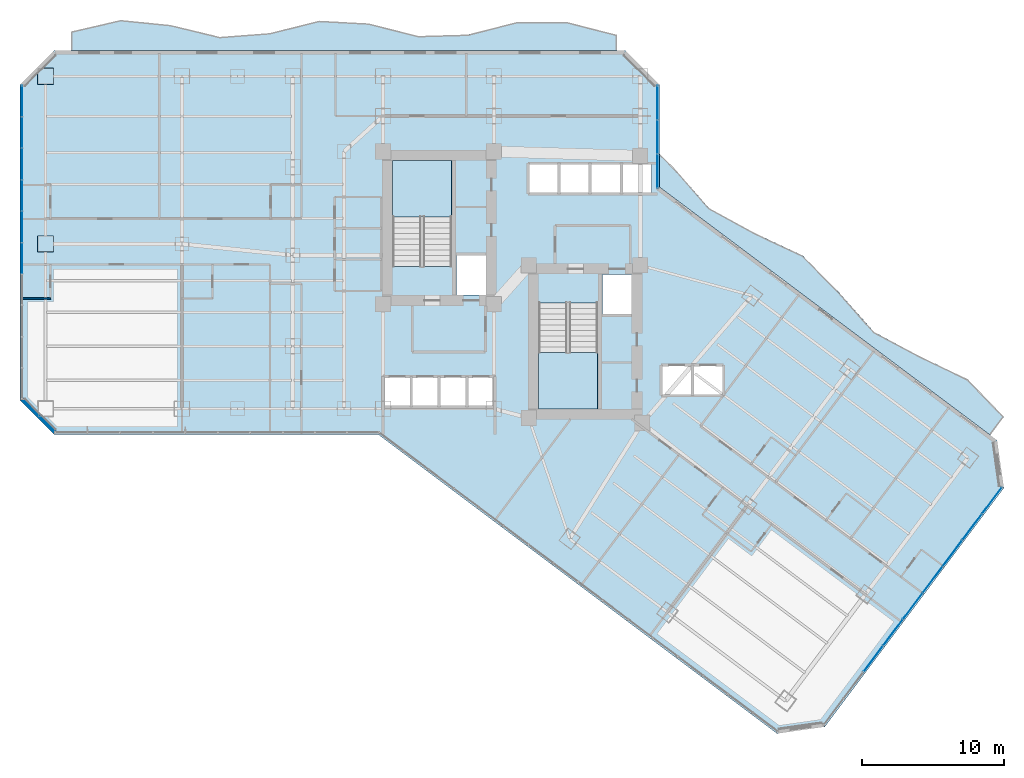
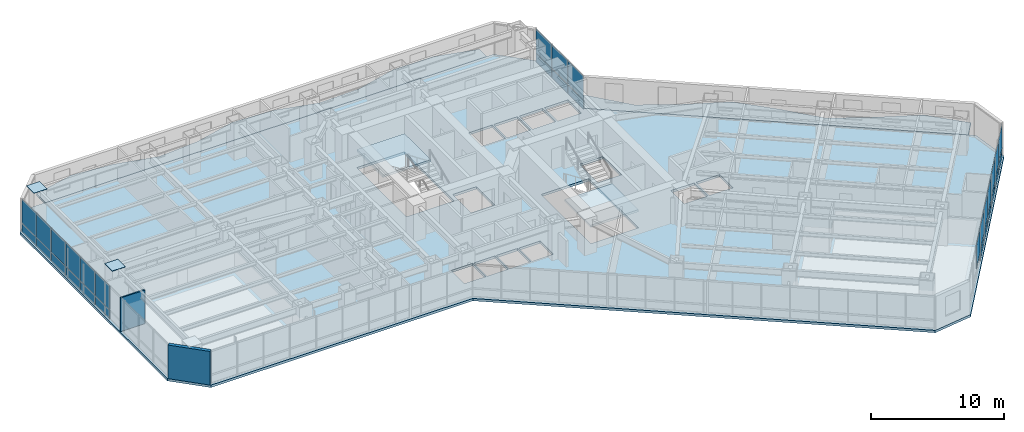
# One storey, part 27 of 39: 33 plates, 5 slabs, 2 walls, 5 elements without a shape of their own.
"""IFC4 building model written with IfcOpenShell, lengths in metres."""

from ifc_helpers import new_model, si_unit, direction, frame, frame_2d, origin, origin_2d, place, context, subcontext, project, spatial, polyline, rectangle, outline, extrude, material, layer, layer_set, type_object, element, aggregate, save


model = new_model("IFC4")

# Units and contexts
model_context = context("Model", 3, precision=1e-05, world=origin(), true_north=direction((0.0, 1.0)))
body_context = subcontext(model_context, "Body", "Model", "MODEL_VIEW")
ifc_project = project(units=[si_unit("LENGTHUNIT", "METRE"), si_unit("AREAUNIT", "SQUARE_METRE"), si_unit("VOLUMEUNIT", "CUBIC_METRE"), si_unit("PLANEANGLEUNIT", "RADIAN"), si_unit("MASSUNIT", "GRAM", prefix="KILO")], contexts=[model_context])

# Site, building, storey
site_placement = place(None, origin())
site = spatial("IfcSite", under=ifc_project, at=site_placement, CompositionType="ELEMENT")
building_placement = place(site_placement, origin())
building = spatial("IfcBuilding", under=site, at=building_placement, Name="Hatsunagi Terrace Concourse", CompositionType="ELEMENT")
storey_placement = place(building_placement, frame((0.0, 0.0, 66.75)))
storey = spatial("IfcBuildingStorey", under=building, at=storey_placement, Name="L17", CompositionType="ELEMENT", Elevation=66.75)

# Plates
ifc_material_1 = material(Name="Steel SN490C", Category="steel")
ifc_layer_1 = layer(ifc_material_1, 0.031982421875)
ifc_layer_set_1 = layer_set([ifc_layer_1], Name="ColumnEndCapPlate_32")
plate_type_1 = type_object("IfcPlateType", Name="ColumnEndCapPlate_32", PredefinedType="USERDEFINED", material=ifc_layer_set_1)
for number, where, z_axis, x_axis, name in (
    (1, (1.800048828125, 48.60009765625, 3.09814453125), (0.0, 0.0, 1.0), (1.0, 0.0, 0.0), "Hollow Column Top Cap Plate GP-03 L17-WN1"),
    (2, (1.800048828125, 36.800048828125, 3.09814453125), (0.0, 0.0, 1.0), (1.0, 0.0, 0.0), "Hollow Column Top Cap Plate GP-03 L17-WM0"),
):
    element("IfcPlate", number, at=place(storey_placement, frame(where, z_axis=z_axis, x_axis=x_axis)), inside=storey, type_object=plate_type_1, Name=name, ObjectType="GUSSET_PLATE", PredefinedType="USERDEFINED", context=body_context, shape_type="SweptSolid", body=[
        extrude(rectangle(XDim=1.139892578125, YDim=1.139892578125, at=origin_2d()), origin(), (0.0, 0.0, 1.0), 0.031982421875),
    ])

# Curtain wall, plates
ifc_material_2 = material(Name="Anodised Aluminium Alloy 6063-T5", Category="aluminium")
ifc_layer_2 = layer(ifc_material_2, 0.199951171875)
ifc_layer_set_2 = layer_set([ifc_layer_2], Name="HotelFacade_CW02")
curtain_wall_type = type_object("IfcCurtainWallType", Name="HotelFacade_CW02", PredefinedType="NOTDEFINED", material=ifc_layer_set_2)
curtain_wall_1_placement = place(storey_placement, origin())
curtain_wall_1 = element("IfcCurtainWall", 3, at=curtain_wall_1_placement, inside=storey, type_object=curtain_wall_type, Name="Unitised Curtain Wall CW-02 CW-L17-03", PredefinedType="NOTDEFINED")
ifc_material_3 = material(Name="Warm Terracotta Ceramic Spandrel Panel", Category="masonry")
ifc_layer_3 = layer(ifc_material_3, 0.031982421875)
ifc_layer_set_3 = layer_set([ifc_layer_3], Name="CurtainWallSpandrelPanel_32")
plate_type_2 = type_object("IfcPlateType", Name="CurtainWallSpandrelPanel_32", PredefinedType="SHEET", material=ifc_layer_set_3)
plate_1_placement = place(storey_placement, frame((68.39697265625, 18.72998046875, 0.030029296875), z_axis=(0.0, 0.0, 1.0), x_axis=(-0.599969314634, -0.800023013105, 0.0)))
plate_1 = element("IfcPlate", 4, at=plate_1_placement, type_object=plate_type_2, Name="Terracotta Spandrel Panel SPN-01", PredefinedType="SHEET", context=body_context, shape_type="SweptSolid", body=[
    extrude(rectangle(XDim=2.264892578125, YDim=0.031982421875, at=origin_2d()), origin(), (0.0, 0.0, 1.0), 0.7900390625),
])
plate_2_placement = place(storey_placement, frame((67.0048828125, 16.873046875, 0.030029296875), z_axis=(0.0, 0.0, 1.0), x_axis=(-0.599969314634, -0.800023013105, 0.0)))
plate_2 = element("IfcPlate", 5, at=plate_2_placement, type_object=plate_type_2, Name="Terracotta Spandrel Panel SPN-01", PredefinedType="SHEET", context=body_context, shape_type="SweptSolid", body=[
    extrude(rectangle(XDim=2.264892578125, YDim=0.031982421875, at=origin_2d()), origin(), (0.0, 0.0, 1.0), 0.7900390625),
])
plate_3_placement = place(storey_placement, frame((65.612060546875, 15.01708984375, 0.030029296875), z_axis=(0.0, 0.0, 1.0), x_axis=(-0.599969314634, -0.800023013105, 0.0)))
plate_3 = element("IfcPlate", 6, at=plate_3_placement, type_object=plate_type_2, Name="Terracotta Spandrel Panel SPN-01", PredefinedType="SHEET", context=body_context, shape_type="SweptSolid", body=[
    extrude(rectangle(XDim=2.264892578125, YDim=0.031982421875, at=origin_2d()), origin(), (0.0, 0.0, 1.0), 0.7900390625),
])
plate_4_placement = place(storey_placement, frame((64.219970703125, 13.159912109375, 0.030029296875), z_axis=(0.0, 0.0, 1.0), x_axis=(-0.599969314634, -0.800023013105, 0.0)))
plate_4 = element("IfcPlate", 7, at=plate_4_placement, type_object=plate_type_2, Name="Terracotta Spandrel Panel SPN-01", PredefinedType="SHEET", context=body_context, shape_type="SweptSolid", body=[
    extrude(rectangle(XDim=2.264892578125, YDim=0.031982421875, at=origin_2d()), origin(), (0.0, 0.0, 1.0), 0.7900390625),
])
plate_5_placement = place(storey_placement, frame((62.827880859375, 11.303955078125, 0.030029296875), z_axis=(0.0, 0.0, 1.0), x_axis=(-0.599969314634, -0.800023013105, 0.0)))
plate_5 = element("IfcPlate", 8, at=plate_5_placement, type_object=plate_type_2, Name="Terracotta Spandrel Panel SPN-01", PredefinedType="SHEET", context=body_context, shape_type="SweptSolid", body=[
    extrude(rectangle(XDim=2.264892578125, YDim=0.031982421875, at=origin_2d()), origin(), (0.0, 0.0, 1.0), 0.7900390625),
])
plate_6_placement = place(storey_placement, frame((61.43603515625, 9.447998046875, 0.030029296875), z_axis=(0.0, 0.0, 1.0), x_axis=(-0.599969314634, -0.800023013105, 0.0)))
plate_6 = element("IfcPlate", 9, at=plate_6_placement, type_object=plate_type_2, Name="Terracotta Spandrel Panel SPN-01", PredefinedType="SHEET", context=body_context, shape_type="SweptSolid", body=[
    extrude(rectangle(XDim=2.264892578125, YDim=0.031982421875, at=origin_2d()), origin(), (0.0, 0.0, 1.0), 0.7900390625),
])

curtain_wall_2_placement = place(storey_placement, origin())
curtain_wall_2 = element("IfcCurtainWall", 10, at=curtain_wall_2_placement, inside=storey, type_object=curtain_wall_type, Name="Unitised Curtain Wall CW-02 CW-L17-09", PredefinedType="NOTDEFINED")
plate_7_placement = place(storey_placement, frame((0.139892578125, 35.7958984375, 0.030029296875), z_axis=(0.0, 0.0, 1.0), x_axis=(0.0, 1.0, 0.0)))
plate_7 = element("IfcPlate", 11, at=plate_7_placement, type_object=plate_type_2, Name="Terracotta Spandrel Panel SPN-01", PredefinedType="SHEET", context=body_context, shape_type="SweptSolid", body=[
    extrude(rectangle(XDim=2.153076171875, YDim=0.031982421875, at=origin_2d()), origin(), (0.0, 0.0, 1.0), 0.7900390625),
])
plate_8_placement = place(storey_placement, frame((0.139892578125, 38.00390625, 0.030029296875), z_axis=(0.0, 0.0, 1.0), x_axis=(0.0, 1.0, 0.0)))
plate_8 = element("IfcPlate", 12, at=plate_8_placement, type_object=plate_type_2, Name="Terracotta Spandrel Panel SPN-01", PredefinedType="SHEET", context=body_context, shape_type="SweptSolid", body=[
    extrude(rectangle(XDim=2.153076171875, YDim=0.031982421875, at=origin_2d()), origin(), (0.0, 0.0, 1.0), 0.7900390625),
])
plate_9_placement = place(storey_placement, frame((0.139892578125, 40.212890625, 0.030029296875), z_axis=(0.0, 0.0, 1.0), x_axis=(0.0, 1.0, 0.0)))
plate_9 = element("IfcPlate", 13, at=plate_9_placement, type_object=plate_type_2, Name="Terracotta Spandrel Panel SPN-01", PredefinedType="SHEET", context=body_context, shape_type="SweptSolid", body=[
    extrude(rectangle(XDim=2.153076171875, YDim=0.031982421875, at=origin_2d()), origin(), (0.0, 0.0, 1.0), 0.7900390625),
])
plate_10_placement = place(storey_placement, frame((0.139892578125, 42.4208984375, 0.030029296875), z_axis=(0.0, 0.0, 1.0), x_axis=(0.0, 1.0, 0.0)))
plate_10 = element("IfcPlate", 14, at=plate_10_placement, type_object=plate_type_2, Name="Terracotta Spandrel Panel SPN-01", PredefinedType="SHEET", context=body_context, shape_type="SweptSolid", body=[
    extrude(rectangle(XDim=2.153076171875, YDim=0.031982421875, at=origin_2d()), origin(), (0.0, 0.0, 1.0), 0.7900390625),
])
plate_11_placement = place(storey_placement, frame((0.139892578125, 44.62890625, 0.030029296875), z_axis=(0.0, 0.0, 1.0), x_axis=(0.0, 1.0, 0.0)))
plate_11 = element("IfcPlate", 15, at=plate_11_placement, type_object=plate_type_2, Name="Terracotta Spandrel Panel SPN-01", PredefinedType="SHEET", context=body_context, shape_type="SweptSolid", body=[
    extrude(rectangle(XDim=2.153076171875, YDim=0.031982421875, at=origin_2d()), origin(), (0.0, 0.0, 1.0), 0.7900390625),
])
plate_12_placement = place(storey_placement, frame((0.139892578125, 46.837890625, 0.030029296875), z_axis=(0.0, 0.0, 1.0), x_axis=(0.0, 1.0, 0.0)))
plate_12 = element("IfcPlate", 16, at=plate_12_placement, type_object=plate_type_2, Name="Terracotta Spandrel Panel SPN-01", PredefinedType="SHEET", context=body_context, shape_type="SweptSolid", body=[
    extrude(rectangle(XDim=2.153076171875, YDim=0.031982421875, at=origin_2d()), origin(), (0.0, 0.0, 1.0), 0.7900390625),
])

curtain_wall_3_placement = place(storey_placement, origin())
curtain_wall_3 = element("IfcCurtainWall", 17, at=curtain_wall_3_placement, inside=storey, type_object=curtain_wall_type, Name="Unitised Curtain Wall CW-02 CW-L17-13", PredefinedType="NOTDEFINED")
plate_13_placement = place(storey_placement, frame((44.860107421875, 46.739990234375, 0.030029296875), z_axis=(0.0, 0.0, 1.0), x_axis=(0.0, -1.0, 0.0)))
plate_13 = element("IfcPlate", 18, at=plate_13_placement, type_object=plate_type_2, Name="Terracotta Spandrel Panel SPN-01", PredefinedType="SHEET", context=body_context, shape_type="SweptSolid", body=[
    extrude(rectangle(XDim=2.34912109375, YDim=0.031982421875, at=origin_2d()), origin(), (0.0, 0.0, 1.0), 0.7900390625),
])
plate_14_placement = place(storey_placement, frame((44.860107421875, 44.3359375, 0.030029296875), z_axis=(0.0, 0.0, 1.0), x_axis=(0.0, -1.0, 0.0)))
plate_14 = element("IfcPlate", 19, at=plate_14_placement, type_object=plate_type_2, Name="Terracotta Spandrel Panel SPN-01", PredefinedType="SHEET", context=body_context, shape_type="SweptSolid", body=[
    extrude(rectangle(XDim=2.34912109375, YDim=0.031982421875, at=origin_2d()), origin(), (0.0, 0.0, 1.0), 0.7900390625),
])
plate_15_placement = place(storey_placement, frame((44.860107421875, 41.931884765625, 0.030029296875), z_axis=(0.0, 0.0, 1.0), x_axis=(0.0, -1.0, 0.0)))
plate_15 = element("IfcPlate", 20, at=plate_15_placement, type_object=plate_type_2, Name="Terracotta Spandrel Panel SPN-01", PredefinedType="SHEET", context=body_context, shape_type="SweptSolid", body=[
    extrude(rectangle(XDim=2.34912109375, YDim=0.031982421875, at=origin_2d()), origin(), (0.0, 0.0, 1.0), 0.7900390625),
])

# Plate
ifc_material_4 = material(Name="Low-E Double Insulating Glass 28mm", Category="glass")
ifc_layer_4 = layer(ifc_material_4, 0.028076171875)
ifc_layer_set_4 = layer_set([ifc_layer_4], Name="CurtainWallVisionGlass_28")
plate_type_3 = type_object("IfcPlateType", Name="CurtainWallVisionGlass_28", PredefinedType="CURTAIN_PANEL", material=ifc_layer_set_4)
plate_16_placement = place(storey_placement, frame((68.39697265625, 18.72998046875, 0.8798828125), z_axis=(0.0, 0.0, 1.0), x_axis=(-0.599969314634, -0.800023013105, 0.0)))
plate_16 = element("IfcPlate", 21, at=plate_16_placement, type_object=plate_type_3, Name="Low-E Vision Glass Panel GLZ-01", PredefinedType="CURTAIN_PANEL", context=body_context, shape_type="SweptSolid", body=[
    extrude(rectangle(XDim=2.264892578125, YDim=0.028076171875, at=origin_2d()), origin(), (0.0, 0.0, 1.0), 2.179931640625),
])

plate_17_placement = place(storey_placement, frame((67.0048828125, 16.873046875, 0.8798828125), z_axis=(0.0, 0.0, 1.0), x_axis=(-0.599969314634, -0.800023013105, 0.0)))
plate_17 = element("IfcPlate", 22, at=plate_17_placement, type_object=plate_type_3, Name="Low-E Vision Glass Panel GLZ-01", PredefinedType="CURTAIN_PANEL", context=body_context, shape_type="SweptSolid", body=[
    extrude(rectangle(XDim=2.264892578125, YDim=0.028076171875, at=origin_2d()), origin(), (0.0, 0.0, 1.0), 2.179931640625),
])

plate_18_placement = place(storey_placement, frame((65.612060546875, 15.01708984375, 0.8798828125), z_axis=(0.0, 0.0, 1.0), x_axis=(-0.599969314634, -0.800023013105, 0.0)))
plate_18 = element("IfcPlate", 23, at=plate_18_placement, type_object=plate_type_3, Name="Low-E Vision Glass Panel GLZ-01", PredefinedType="CURTAIN_PANEL", context=body_context, shape_type="SweptSolid", body=[
    extrude(rectangle(XDim=2.264892578125, YDim=0.028076171875, at=origin_2d()), origin(), (0.0, 0.0, 1.0), 2.179931640625),
])

plate_19_placement = place(storey_placement, frame((64.219970703125, 13.159912109375, 0.8798828125), z_axis=(0.0, 0.0, 1.0), x_axis=(-0.599969314634, -0.800023013105, 0.0)))
plate_19 = element("IfcPlate", 24, at=plate_19_placement, type_object=plate_type_3, Name="Low-E Vision Glass Panel GLZ-01", PredefinedType="CURTAIN_PANEL", context=body_context, shape_type="SweptSolid", body=[
    extrude(rectangle(XDim=2.264892578125, YDim=0.028076171875, at=origin_2d()), origin(), (0.0, 0.0, 1.0), 2.179931640625),
])

plate_20_placement = place(storey_placement, frame((62.827880859375, 11.303955078125, 0.8798828125), z_axis=(0.0, 0.0, 1.0), x_axis=(-0.599969314634, -0.800023013105, 0.0)))
plate_20 = element("IfcPlate", 25, at=plate_20_placement, type_object=plate_type_3, Name="Low-E Vision Glass Panel GLZ-01", PredefinedType="CURTAIN_PANEL", context=body_context, shape_type="SweptSolid", body=[
    extrude(rectangle(XDim=2.264892578125, YDim=0.028076171875, at=origin_2d()), origin(), (0.0, 0.0, 1.0), 2.179931640625),
])

plate_21_placement = place(storey_placement, frame((61.43603515625, 9.447998046875, 0.8798828125), z_axis=(0.0, 0.0, 1.0), x_axis=(-0.599969314634, -0.800023013105, 0.0)))
plate_21 = element("IfcPlate", 26, at=plate_21_placement, type_object=plate_type_3, Name="Low-E Vision Glass Panel GLZ-01", PredefinedType="CURTAIN_PANEL", context=body_context, shape_type="SweptSolid", body=[
    extrude(rectangle(XDim=2.264892578125, YDim=0.028076171875, at=origin_2d()), origin(), (0.0, 0.0, 1.0), 2.179931640625),
])

plate_22_placement = place(storey_placement, frame((60.0439453125, 7.591064453125, 0.8798828125), z_axis=(0.0, 0.0, 1.0), x_axis=(-0.599969314634, -0.800023013105, 0.0)))
plate_22 = element("IfcPlate", 27, at=plate_22_placement, type_object=plate_type_3, Name="Low-E Vision Glass Panel GLZ-01", PredefinedType="CURTAIN_PANEL", context=body_context, shape_type="SweptSolid", body=[
    extrude(rectangle(XDim=2.264892578125, YDim=0.028076171875, at=origin_2d()), origin(), (0.0, 0.0, 1.0), 2.179931640625),
])

aggregate(curtain_wall_1, [plate_1, plate_16, plate_2, plate_17, plate_3, plate_18, plate_4, plate_19, plate_5, plate_20, plate_6, plate_21, plate_22])

plate_23_placement = place(storey_placement, frame((0.139892578125, 35.7958984375, 0.8798828125), z_axis=(0.0, 0.0, 1.0), x_axis=(0.0, 1.0, 0.0)))
plate_23 = element("IfcPlate", 28, at=plate_23_placement, type_object=plate_type_3, Name="Low-E Vision Glass Panel GLZ-01", PredefinedType="CURTAIN_PANEL", context=body_context, shape_type="SweptSolid", body=[
    extrude(rectangle(XDim=2.153076171875, YDim=0.028076171875, at=origin_2d()), origin(), (0.0, 0.0, 1.0), 2.179931640625),
])

plate_24_placement = place(storey_placement, frame((0.139892578125, 38.00390625, 0.8798828125), z_axis=(0.0, 0.0, 1.0), x_axis=(0.0, 1.0, 0.0)))
plate_24 = element("IfcPlate", 29, at=plate_24_placement, type_object=plate_type_3, Name="Low-E Vision Glass Panel GLZ-01", PredefinedType="CURTAIN_PANEL", context=body_context, shape_type="SweptSolid", body=[
    extrude(rectangle(XDim=2.153076171875, YDim=0.028076171875, at=origin_2d()), origin(), (0.0, 0.0, 1.0), 2.179931640625),
])

plate_25_placement = place(storey_placement, frame((0.139892578125, 40.212890625, 0.8798828125), z_axis=(0.0, 0.0, 1.0), x_axis=(0.0, 1.0, 0.0)))
plate_25 = element("IfcPlate", 30, at=plate_25_placement, type_object=plate_type_3, Name="Low-E Vision Glass Panel GLZ-01", PredefinedType="CURTAIN_PANEL", context=body_context, shape_type="SweptSolid", body=[
    extrude(rectangle(XDim=2.153076171875, YDim=0.028076171875, at=origin_2d()), origin(), (0.0, 0.0, 1.0), 2.179931640625),
])

plate_26_placement = place(storey_placement, frame((0.139892578125, 42.4208984375, 0.8798828125), z_axis=(0.0, 0.0, 1.0), x_axis=(0.0, 1.0, 0.0)))
plate_26 = element("IfcPlate", 31, at=plate_26_placement, type_object=plate_type_3, Name="Low-E Vision Glass Panel GLZ-01", PredefinedType="CURTAIN_PANEL", context=body_context, shape_type="SweptSolid", body=[
    extrude(rectangle(XDim=2.153076171875, YDim=0.028076171875, at=origin_2d()), origin(), (0.0, 0.0, 1.0), 2.179931640625),
])

plate_27_placement = place(storey_placement, frame((0.139892578125, 44.62890625, 0.8798828125), z_axis=(0.0, 0.0, 1.0), x_axis=(0.0, 1.0, 0.0)))
plate_27 = element("IfcPlate", 32, at=plate_27_placement, type_object=plate_type_3, Name="Low-E Vision Glass Panel GLZ-01", PredefinedType="CURTAIN_PANEL", context=body_context, shape_type="SweptSolid", body=[
    extrude(rectangle(XDim=2.153076171875, YDim=0.028076171875, at=origin_2d()), origin(), (0.0, 0.0, 1.0), 2.179931640625),
])

plate_28_placement = place(storey_placement, frame((0.139892578125, 46.837890625, 0.8798828125), z_axis=(0.0, 0.0, 1.0), x_axis=(0.0, 1.0, 0.0)))
plate_28 = element("IfcPlate", 33, at=plate_28_placement, type_object=plate_type_3, Name="Low-E Vision Glass Panel GLZ-01", PredefinedType="CURTAIN_PANEL", context=body_context, shape_type="SweptSolid", body=[
    extrude(rectangle(XDim=2.153076171875, YDim=0.028076171875, at=origin_2d()), origin(), (0.0, 0.0, 1.0), 2.179931640625),
])

aggregate(curtain_wall_2, [plate_7, plate_23, plate_8, plate_24, plate_9, plate_25, plate_10, plate_26, plate_11, plate_27, plate_12, plate_28])

plate_29_placement = place(storey_placement, frame((44.860107421875, 46.739990234375, 0.8798828125), z_axis=(0.0, 0.0, 1.0), x_axis=(0.0, -1.0, 0.0)))
plate_29 = element("IfcPlate", 34, at=plate_29_placement, type_object=plate_type_3, Name="Low-E Vision Glass Panel GLZ-01", PredefinedType="CURTAIN_PANEL", context=body_context, shape_type="SweptSolid", body=[
    extrude(rectangle(XDim=2.34912109375, YDim=0.028076171875, at=origin_2d()), origin(), (0.0, 0.0, 1.0), 2.179931640625),
])

plate_30_placement = place(storey_placement, frame((44.860107421875, 44.3359375, 0.8798828125), z_axis=(0.0, 0.0, 1.0), x_axis=(0.0, -1.0, 0.0)))
plate_30 = element("IfcPlate", 35, at=plate_30_placement, type_object=plate_type_3, Name="Low-E Vision Glass Panel GLZ-01", PredefinedType="CURTAIN_PANEL", context=body_context, shape_type="SweptSolid", body=[
    extrude(rectangle(XDim=2.34912109375, YDim=0.028076171875, at=origin_2d()), origin(), (0.0, 0.0, 1.0), 2.179931640625),
])

plate_31_placement = place(storey_placement, frame((44.860107421875, 41.931884765625, 0.8798828125), z_axis=(0.0, 0.0, 1.0), x_axis=(0.0, -1.0, 0.0)))
plate_31 = element("IfcPlate", 36, at=plate_31_placement, type_object=plate_type_3, Name="Low-E Vision Glass Panel GLZ-01", PredefinedType="CURTAIN_PANEL", context=body_context, shape_type="SweptSolid", body=[
    extrude(rectangle(XDim=2.34912109375, YDim=0.028076171875, at=origin_2d()), origin(), (0.0, 0.0, 1.0), 2.179931640625),
])

aggregate(curtain_wall_3, [plate_13, plate_29, plate_14, plate_30, plate_15, plate_31])

# Stair, slab
ifc_material_5 = material(Name="Concrete Fc42", Category="concrete")
stair_type = type_object("IfcStairType", Name="DoglegExitStair_Tower2000_20R_167", PredefinedType="HALF_TURN_STAIR", material=ifc_material_5)
stair_1_placement = place(storey_placement, origin())
stair_1 = element("IfcStair", 37, at=stair_1_placement, inside=storey, type_object=stair_type, Name="L17 Core A Protected Exit Stair ST-A", PredefinedType="HALF_TURN_STAIR")
ifc_material_6 = material(Name="Concrete Fc42", Category="concrete")
ifc_layer_5 = layer(ifc_material_6, 0.199951171875)
ifc_layer_set_5 = layer_set([ifc_layer_5], Name="DoglegStairLanding_Tower2000")
slab_type_1 = type_object("IfcSlabType", Name="DoglegStairLanding_Tower2000", PredefinedType="LANDING", material=ifc_layer_set_5)
slab_1_placement = place(storey_placement, frame((0.0, 0.0, 1.47509765625)))
slab_1 = element("IfcSlab", 38, at=slab_1_placement, type_object=slab_type_1, Name="ST-A landing 1", PredefinedType="LANDING", context=body_context, shape_type="SweptSolid", body=[
    extrude(outline(polyline([(30.3798828125, 38.7099609375), (30.3798828125, 42.659912109375), (26.22998046875, 42.659912109375), (26.22998046875, 38.7099609375), (30.3798828125, 38.7099609375)])), origin(), (0.0, 0.0, 1.0), 0.199951171875),
])
aggregate(stair_1, [slab_1])

stair_2_placement = place(storey_placement, origin())
stair_2 = element("IfcStair", 39, at=stair_2_placement, inside=storey, type_object=stair_type, Name="L17 Core B Protected Exit Stair ST-B", PredefinedType="HALF_TURN_STAIR")
slab_2_placement = place(storey_placement, frame((0.0, 0.0, 1.47509765625)))
slab_2 = element("IfcSlab", 40, at=slab_2_placement, type_object=slab_type_1, Name="ST-B landing 1", PredefinedType="LANDING", context=body_context, shape_type="SweptSolid", body=[
    extrude(outline(polyline([(36.5, 29.14990234375), (36.5, 25.199951171875), (40.64990234375, 25.199951171875), (40.64990234375, 29.14990234375), (36.5, 29.14990234375)])), origin(), (0.0, 0.0, 1.0), 0.199951171875),
])
aggregate(stair_2, [slab_2])

# Slabs
ifc_material_7 = material(Name="Concrete Fc42", Category="concrete")
ifc_layer_6 = layer(ifc_material_7, 0.199951171875)
ifc_layer_set_6 = layer_set([ifc_layer_6], Name="EngawaBalconySlab_Fc42_200")
slab_type_2 = type_object("IfcSlabType", Name="EngawaBalconySlab_Fc42_200", PredefinedType="FLOOR", material=ifc_layer_set_6)
slab_3_placement = place(storey_placement, frame((0.0, 0.0, -0.199951171875)))
element("IfcSlab", 41, at=slab_3_placement, inside=storey, type_object=slab_type_2, Name="Engawa Balcony Slab BAL-L17-BN", PredefinedType="FLOOR", context=body_context, shape_type="SweptSolid", body=[
    extrude(outline(polyline([(3.60009765625, 51.7490234375), (3.60009765625, 50.39990234375), (42.0, 50.39990234375), (42.0, 51.514892578125), (38.509033203125, 52.412109375), (35.01806640625, 52.428955078125), (31.527099609375, 51.533935546875), (28.035888671875, 51.431884765625), (24.544921875, 52.31689453125), (21.054931640625, 52.5029296875), (17.56396484375, 51.635986328125), (14.072998046875, 51.366943359375), (10.58203125, 52.208984375), (7.091064453125, 52.55810546875), (3.60009765625, 51.7490234375)])), origin(), (0.0, 0.0, 1.0), 0.199951171875),
])
slab_4_placement = place(storey_placement, frame((0.0, 0.0, -0.199951171875)))
element("IfcSlab", 42, at=slab_4_placement, inside=storey, type_object=slab_type_2, Name="Engawa Balcony Slab BAL-L17-BSE", PredefinedType="FLOOR", context=body_context, shape_type="SweptSolid", body=[
    extrude(outline(polyline([(46.0390625, 42.1298828125), (44.99609375, 43.159912109375), (44.99609375, 40.802978515625), (68.280029296875, 23.340087890625), (69.2470703125, 24.6298828125), (66.69091796875, 27.277099609375), (63.347900390625, 28.875), (60.10400390625, 30.60498046875), (57.64306640625, 33.3798828125), (55.06103515625, 35.992919921875), (51.698974609375, 37.56494140625), (48.48095703125, 39.330078125), (46.0390625, 42.1298828125)])), origin(), (0.0, 0.0, 1.0), 0.199951171875),
])
ifc_material_8 = material(Name="Concrete Fc42", Category="concrete")
ifc_layer_7 = layer(ifc_material_8, 0.219970703125)
ifc_layer_set_7 = layer_set([ifc_layer_7], Name="HotelFloorSlab_Fc42_220")
slab_type_3 = type_object("IfcSlabType", Name="HotelFloorSlab_Fc42_220", PredefinedType="FLOOR", material=ifc_layer_set_7)
slab_5_placement = place(storey_placement, frame((0.0, 0.0, -0.219970703125)))
element("IfcSlab", 43, at=slab_5_placement, inside=storey, type_object=slab_type_3, Name="Floor Slab SL-220 L17", PredefinedType="FLOOR", context=body_context, shape_type="SweptSolid", body=[
    extrude(outline(polyline([(45.0, 40.800048828125), (45.0, 48.0), (42.60009765625, 50.39990234375), (2.39990234375, 50.39990234375), (0.0, 48.0), (0.0, 25.800048828125), (2.39990234375, 23.39990234375), (25.199951171875, 23.39990234375), (53.280029296875, 2.340087890625), (56.639892578125, 2.820068359375), (69.239990234375, 19.6201171875), (68.760009765625, 22.97998046875), (45.0, 40.800048828125)]), holes=[polyline([(26.22998046875, 35.205078125), (30.3798828125, 35.205078125), (30.3798828125, 42.659912109375), (26.22998046875, 42.659912109375), (26.22998046875, 35.205078125)]), polyline([(36.5, 25.199951171875), (40.64990234375, 25.199951171875), (40.64990234375, 32.655029296875), (36.5, 32.655029296875), (36.5, 25.199951171875)]), polyline([(30.719970703125, 33.219970703125), (32.780029296875, 33.219970703125), (32.780029296875, 35.97998046875), (30.719970703125, 35.97998046875), (30.719970703125, 33.219970703125)]), polyline([(40.97998046875, 31.8798828125), (43.02001953125, 31.8798828125), (43.02001953125, 34.639892578125), (40.97998046875, 34.639892578125), (40.97998046875, 31.8798828125)]), polyline([(25.6201171875, 25.39990234375), (27.47998046875, 25.39990234375), (27.47998046875, 27.39990234375), (25.6201171875, 27.39990234375), (25.6201171875, 25.39990234375)]), polyline([(27.580078125, 25.39990234375), (29.43994140625, 25.39990234375), (29.43994140625, 27.39990234375), (27.580078125, 27.39990234375), (27.580078125, 25.39990234375)]), polyline([(29.5400390625, 25.39990234375), (31.39990234375, 25.39990234375), (31.39990234375, 27.39990234375), (29.5400390625, 27.39990234375), (29.5400390625, 25.39990234375)]), polyline([(31.5, 25.39990234375), (33.360107421875, 25.39990234375), (33.360107421875, 27.39990234375), (31.5, 27.39990234375), (31.5, 25.39990234375)]), polyline([(35.800048828125, 40.39990234375), (37.85009765625, 40.39990234375), (37.85009765625, 42.39990234375), (35.800048828125, 42.39990234375), (35.800048828125, 40.39990234375)]), polyline([(38.0, 40.39990234375), (40.050048828125, 40.39990234375), (40.050048828125, 42.39990234375), (38.0, 42.39990234375), (38.0, 40.39990234375)]), polyline([(40.199951171875, 40.39990234375), (42.25, 40.39990234375), (42.25, 42.39990234375), (40.199951171875, 42.39990234375), (40.199951171875, 40.39990234375)]), polyline([(42.39990234375, 40.39990234375), (44.449951171875, 40.39990234375), (44.449951171875, 42.39990234375), (42.39990234375, 42.39990234375), (42.39990234375, 40.39990234375)]), polyline([(45.199951171875, 26.199951171875), (47.25, 26.199951171875), (47.25, 28.199951171875), (45.199951171875, 28.199951171875), (45.199951171875, 26.199951171875)]), polyline([(47.39990234375, 26.199951171875), (49.449951171875, 26.199951171875), (49.449951171875, 28.199951171875), (47.39990234375, 28.199951171875), (47.39990234375, 26.199951171875)])]), origin(), (0.0, 0.0, 1.0), 0.219970703125),
])

# Walls
ifc_material_9 = material(Name="Acoustic mineral board", Category="gypsum")
ifc_layer_8 = layer(ifc_material_9, 0.1201171875)
ifc_layer_set_8 = layer_set([ifc_layer_8], Name="PartitionWall_EI30_120")
wall_type_1 = type_object("IfcWallType", Name="PartitionWall_EI30_120", PredefinedType="PARTITIONING", material=ifc_layer_set_8)
wall_1_placement = place(storey_placement, frame((0.0400390625, 32.949951171875, 0.0), z_axis=(0.0, 0.0, 1.0), x_axis=(1.0, 0.0, 0.0)))
element("IfcWall", 44, at=wall_1_placement, inside=storey, type_object=wall_type_1, Name="Interior Partition IW-L17-057", PredefinedType="PARTITIONING", context=body_context, shape_type="SweptSolid", body=[
    extrude(rectangle(XDim=2.10986328125, YDim=0.1201171875, at=frame_2d((1.054931640625, 0.0))), origin(), (0.0, 0.0, 1.0), 3.090087890625),
])
ifc_material_10 = material(Name="Autoclaved Lightweight Concrete and Terracotta Cladding", Category="masonry")
ifc_layer_9 = layer(ifc_material_10, 0.280029296875)
ifc_layer_set_9 = layer_set([ifc_layer_9], Name="TerracottaSpandrelWall_280")
wall_type_2 = type_object("IfcWallType", Name="TerracottaSpandrelWall_280", PredefinedType="STANDARD", material=ifc_layer_set_9)
wall_2_placement = place(storey_placement, frame((2.4580078125, 23.5400390625, 0.0), z_axis=(0.0, 0.0, 1.0), x_axis=(-0.707144017911, 0.707069542501, 0.0)))
element("IfcWall", 45, at=wall_2_placement, inside=storey, type_object=wall_type_2, Name="Exterior Spandrel Wall EW-L17-08", PredefinedType="STANDARD", context=body_context, shape_type="SweptSolid", body=[
    extrude(rectangle(XDim=3.278076171875, YDim=0.280029296875, at=frame_2d((1.63916015625, 0.0))), origin(), (0.0, 0.0, 1.0), 3.090087890625),
])

save(model, "model.ifc")
